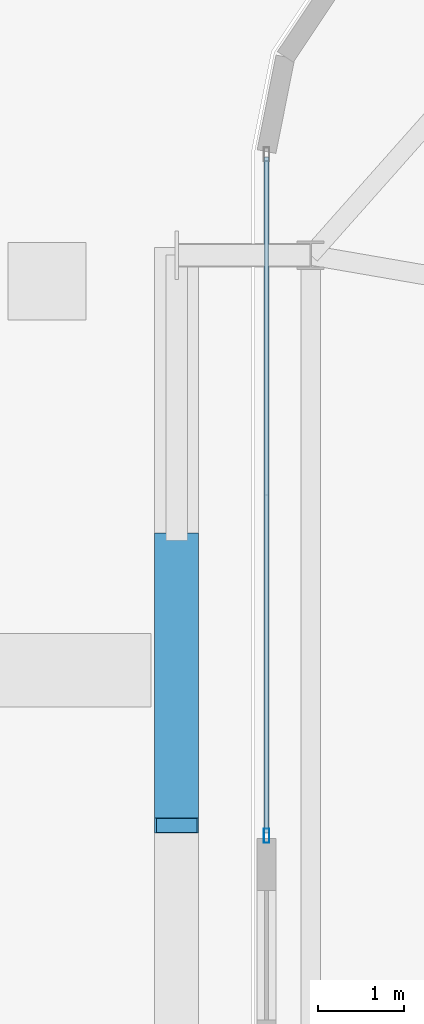
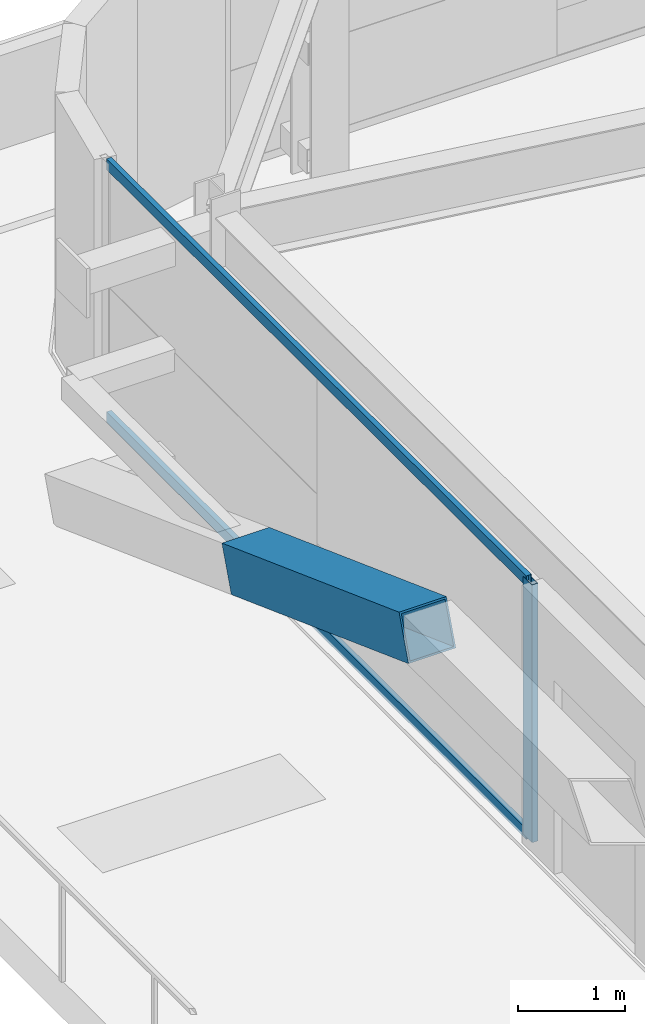
# One storey, part 17 of 56: 4 members, 1 element without a shape of its own.
"""IFC4 building model written with IfcOpenShell, lengths in metres."""

from ifc_helpers import new_model, si_unit, direction, frame, origin, origin_2d, place, context, subcontext, project, spatial, hollow_rectangle, extrude, source, transform, mapped, material, layer, layer_set, material_profile, profile_set, type_object, element, aggregate, save


model = new_model("IFC4")

# Units and contexts
model_context = context("Model", 3, precision=1e-05, world=origin(), true_north=direction((0.0, 1.0)))
body_context = subcontext(model_context, "Body", "Model", "MODEL_VIEW")
ifc_project = project(units=[si_unit("LENGTHUNIT", "METRE"), si_unit("AREAUNIT", "SQUARE_METRE"), si_unit("VOLUMEUNIT", "CUBIC_METRE"), si_unit("PLANEANGLEUNIT", "RADIAN"), si_unit("MASSUNIT", "GRAM", prefix="KILO")], contexts=[model_context])

# Site, building, storey
site_placement = place(None, origin())
site = spatial("IfcSite", under=ifc_project, at=site_placement, CompositionType="ELEMENT")
building_placement = place(site_placement, origin())
building = spatial("IfcBuilding", under=site, at=building_placement, Name="Taldren Reach Tower", CompositionType="ELEMENT")
storey_placement = place(building_placement, frame((0.0, 0.0, 16.800048828125)))
storey = spatial("IfcBuildingStorey", under=building, at=storey_placement, Name="L04", CompositionType="ELEMENT", Elevation=16.800048828125)

# Member
ifc_material_1 = material(Name="Steel Gr 450 (C450L0)", Category="steel")
ifc_material_profile_1 = material_profile(ifc_material_1, hollow_rectangle(XDim=0.510009765625, YDim=0.510009765625, WallThickness=0.02001953125, at=origin_2d()), Name="510x510x20.0SHS")
ifc_profile_set_1 = profile_set([ifc_material_profile_1], Name="Steel Gr 450 (C450L0)")
member_type_1 = type_object("IfcMemberType", Name="MB-EXO508", PredefinedType="BRACE", material=ifc_profile_set_1)
shared_shape_1 = source(origin(), body_context, "Body", "SweptSolid", [
    extrude(hollow_rectangle(XDim=0.510009765625, YDim=0.510009765625, WallThickness=0.02001953125, at=origin_2d()), origin(), (0.0, 0.0, 1.0), 3.5166015625),
])
member_1_placement = place(storey_placement, frame((4.10009765625, 31.0, 1.43505859375), z_axis=(0.0, -0.938431985009, 0.345464049523), x_axis=(1.0, 0.0, 0.0)))
element("IfcMember", 1, at=member_1_placement, inside=storey, type_object=member_type_1, Name="Exoskeleton Diagrid Brace B1-W2 L04", PredefinedType="BRACE", context=body_context, shape_type="MappedRepresentation", body=[
    mapped(shared_shape_1, transform((0.0, 0.0, 0.0), scale=1.0)),
])

# Curtain wall, members
ifc_material_2 = material(Name="Aluminium and Low-E Glass Unitised System", Category="aluminium")
ifc_layer = layer(ifc_material_2, 0.159912109375)
ifc_layer_set = layer_set([ifc_layer], Name="Aluminium and Low-E Glass Unitised System")
curtain_wall_type = type_object("IfcCurtainWallType", Name="CW-SYS-2", PredefinedType="NOTDEFINED", material=ifc_layer_set)
curtain_wall_placement = place(storey_placement, origin())
curtain_wall = element("IfcCurtainWall", 2, at=curtain_wall_placement, inside=storey, type_object=curtain_wall_type, Name="Unitised curtain wall CW-L04-W1", PredefinedType="NOTDEFINED")
ifc_material_3 = material(Name="Anodised Aluminium 6063-T6", Category="aluminium")
ifc_material_profile_2 = material_profile(ifc_material_3, hollow_rectangle(XDim=0.06494140625, YDim=0.1650390625, WallThickness=0.00390625, at=origin_2d()), Name="ALU-165x65x4RHS")
ifc_profile_set_2 = profile_set([ifc_material_profile_2], Name="Anodised Aluminium 6063-T6")
member_type_2 = type_object("IfcMemberType", Name="CW-MUL-165", PredefinedType="MULLION", material=ifc_profile_set_2)
shared_shape_2 = source(origin(), body_context, "Body", "SweptSolid", [
    extrude(hollow_rectangle(XDim=0.06494140625, YDim=0.1650390625, WallThickness=0.00390625, at=origin_2d()), origin(), (0.0, 0.0, 1.0), 2.929931640625),
])
member_2_placement = place(storey_placement, frame((5.139892578125, 27.58251953125, 0.0), z_axis=(0.0, 0.0, 1.0), x_axis=(1.0, 0.0, 0.0)))
member_2 = element("IfcMember", 3, at=member_2_placement, type_object=member_type_2, Name="CW-2 mullion 2", PredefinedType="MULLION", context=body_context, shape_type="MappedRepresentation", body=[
    mapped(shared_shape_2, transform((0.0, 0.0, 0.0), scale=1.0)),
])
ifc_material_profile_3 = material_profile(ifc_material_3, hollow_rectangle(XDim=0.054931640625, YDim=0.1201171875, WallThickness=0.0029296875, at=origin_2d()), Name="ALU-120x55x3RHS")
ifc_profile_set_3 = profile_set([ifc_material_profile_3], Name="Anodised Aluminium 6063-T6")
member_type_3 = type_object("IfcMemberType", Name="CW-TRN-135", PredefinedType="USERDEFINED", material=ifc_profile_set_3)
shared_shape_3 = source(origin(), body_context, "Body", "SweptSolid", [
    extrude(hollow_rectangle(XDim=0.054931640625, YDim=0.1201171875, WallThickness=0.0029296875, at=origin_2d()), origin(), (0.0, 0.0, 1.0), 7.820068359375),
])
member_3_placement = place(storey_placement, frame((5.139892578125, 35.43505859375, 0.02734375), z_axis=(0.0, -1.0, 0.0), x_axis=(1.0, 0.0, 0.0)))
member_3 = element("IfcMember", 4, at=member_3_placement, type_object=member_type_3, Name="CW-2 transom 1.1", ObjectType="TRANSOM", PredefinedType="USERDEFINED", context=body_context, shape_type="MappedRepresentation", body=[
    mapped(shared_shape_3, transform((0.0, 0.0, 0.0), scale=1.0)),
])
member_4_placement = place(storey_placement, frame((5.139892578125, 35.43505859375, 2.90234375), z_axis=(0.0, -1.0, 0.0), x_axis=(1.0, 0.0, 0.0)))
member_4 = element("IfcMember", 5, at=member_4_placement, type_object=member_type_3, Name="CW-2 transom 1.2", ObjectType="TRANSOM", PredefinedType="USERDEFINED", context=body_context, shape_type="MappedRepresentation", body=[
    mapped(shared_shape_3, transform((0.0, 0.0, 0.0), scale=1.0)),
])
aggregate(curtain_wall, [member_2, member_3, member_4])

save(model, "model.ifc")
